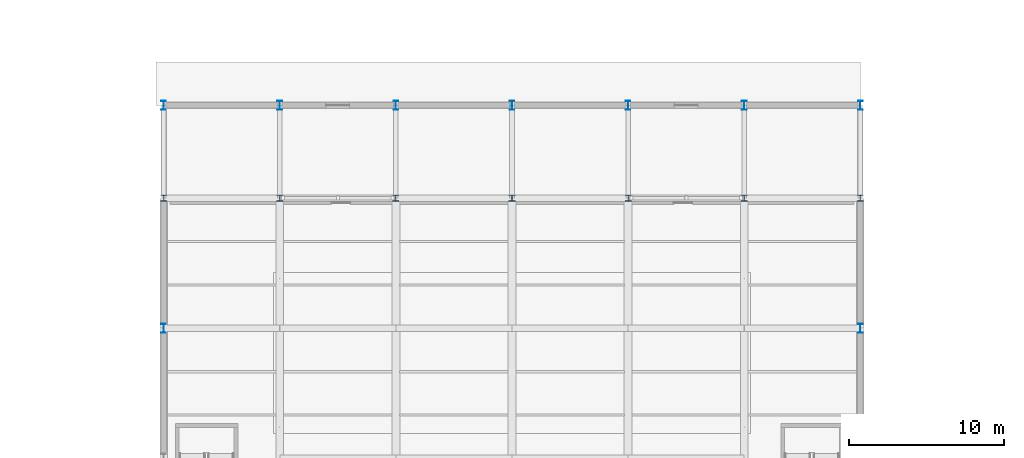
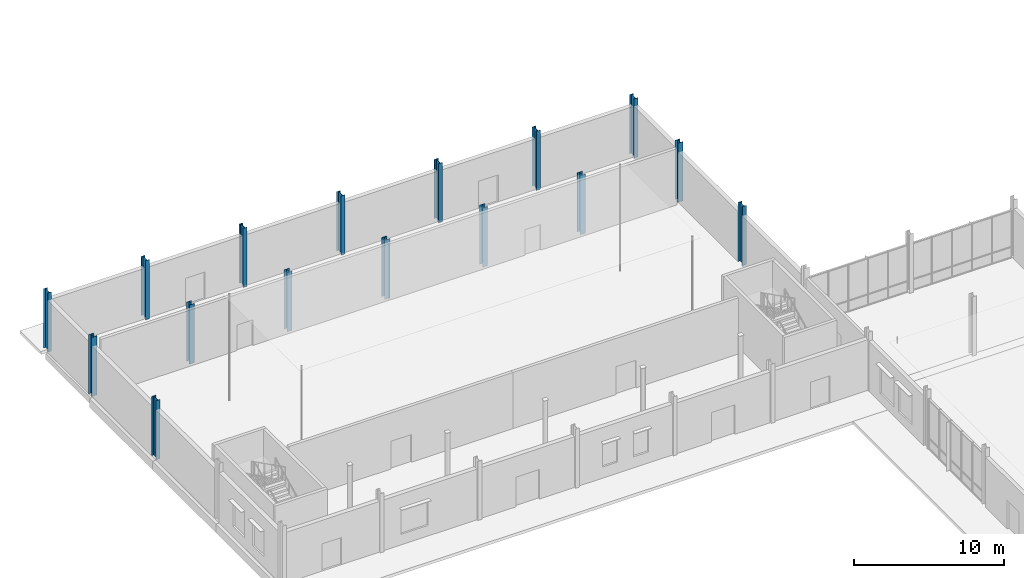
# One storey, part 10 of 82: 16 columns.
"""IFC4 building model written with IfcOpenShell, lengths in metres."""

from ifc_helpers import new_model, si_unit, direction, frame, origin, origin_2d, place, context, subcontext, project, spatial, i_section, extrude, material, material_profile, profile_set, type_object, element, save


model = new_model("IFC4")

# Units and contexts
model_context = context("Model", 3, precision=1e-05, world=origin(), true_north=direction((0.0, 1.0)))
body_context = subcontext(model_context, "Body", "Model", "MODEL_VIEW")
ifc_project = project(units=[si_unit("LENGTHUNIT", "METRE"), si_unit("AREAUNIT", "SQUARE_METRE"), si_unit("VOLUMEUNIT", "CUBIC_METRE"), si_unit("PLANEANGLEUNIT", "RADIAN"), si_unit("MASSUNIT", "GRAM", prefix="KILO")], contexts=[model_context])

# Site, building, storey
site_placement = place(None, origin())
site = spatial("IfcSite", under=ifc_project, at=site_placement, CompositionType="ELEMENT")
building_placement = place(site_placement, origin())
building = spatial("IfcBuilding", under=site, at=building_placement, Name="Yukiwa Park Conservatory and Herbarium", CompositionType="ELEMENT")
storey_placement = place(building_placement, origin())
storey = spatial("IfcBuildingStorey", under=building, at=storey_placement, Name="L00", CompositionType="ELEMENT", Elevation=0.0)

# Columns
ifc_material_1 = material(Name="Steel Q355D", Category="steel")
ifc_material_profile_1 = material_profile(ifc_material_1, i_section(OverallWidth=0.300048828125, OverallDepth=0.587890625, WebThickness=0.011962890625, FlangeThickness=0.02001953125, FilletRadius=0.02392578125, at=origin_2d()), Name="HM 588x300x12x20")
ifc_profile_set_1 = profile_set([ifc_material_profile_1], Name="Steel Q355D")
column_type_1 = type_object("IfcColumnType", Name="COL-AU-HM588-EXT", PredefinedType="COLUMN", material=ifc_profile_set_1)
for number, where, z_axis, x_axis, name in (
    (1, (15.0, 94.800048828125, 0.0), (0.0, 0.0, 1.0), (1.0, 0.0, 0.0), "L00 column V4-X150-Y948"),
    (2, (15.0, 109.199951171875, 0.0), (0.0, 0.0, 1.0), (1.0, 0.0, 0.0), "L00 column V4-X150-Y1092"),
    (3, (22.5, 109.199951171875, 0.0), (0.0, 0.0, 1.0), (1.0, 0.0, 0.0), "L00 column V4-X225-Y1092"),
    (4, (30.0, 109.199951171875, 0.0), (0.0, 0.0, 1.0), (1.0, 0.0, 0.0), "L00 column V4-X300-Y1092"),
    (5, (37.5, 109.199951171875, 0.0), (0.0, 0.0, 1.0), (1.0, 0.0, 0.0), "L00 column V4-X375-Y1092"),
    (6, (45.0, 109.199951171875, 0.0), (0.0, 0.0, 1.0), (1.0, 0.0, 0.0), "L00 column V4-X450-Y1092"),
    (7, (52.5, 109.199951171875, 0.0), (0.0, 0.0, 1.0), (1.0, 0.0, 0.0), "L00 column V4-X525-Y1092"),
    (8, (60.0, 94.800048828125, 0.0), (0.0, 0.0, 1.0), (1.0, 0.0, 0.0), "L00 column V4-X600-Y948"),
    (9, (60.0, 109.199951171875, 0.0), (0.0, 0.0, 1.0), (1.0, 0.0, 0.0), "L00 column V4-X600-Y1092"),
):
    element("IfcColumn", number, at=place(storey_placement, frame(where, z_axis=z_axis, x_axis=x_axis)), inside=storey, type_object=column_type_1, Name=name, PredefinedType="COLUMN", context=body_context, shape_type="SweptSolid", body=[
        extrude(i_section(OverallWidth=0.300048828125, OverallDepth=0.587890625, WebThickness=0.011962890625, FlangeThickness=0.02001953125, FilletRadius=0.02392578125, at=origin_2d()), origin(), (0.0, 0.0, 1.0), 4.800048828125),
    ])
ifc_material_2 = material(Name="Steel Q355D", Category="steel")
ifc_material_profile_2 = material_profile(ifc_material_2, i_section(OverallWidth=0.39990234375, OverallDepth=0.39990234375, WebThickness=0.012939453125, FlangeThickness=0.02099609375, FilletRadius=0.02197265625, at=origin_2d()), Name="HW 400x400x13x21")
ifc_profile_set_2 = profile_set([ifc_material_profile_2], Name="Steel Q355D")
column_type_2 = type_object("IfcColumnType", Name="COL-TW-HW400", PredefinedType="COLUMN", material=ifc_profile_set_2)
for number, where, z_axis, x_axis, name in (
    (10, (15.0, 103.199951171875, 0.0), (0.0, 0.0, 1.0), (1.0, 0.0, 0.0), "L00 column V4-X150-Y1032"),
    (11, (22.5, 103.199951171875, 0.0), (0.0, 0.0, 1.0), (1.0, 0.0, 0.0), "L00 column V4-X225-Y1032"),
    (12, (30.0, 103.199951171875, 0.0), (0.0, 0.0, 1.0), (1.0, 0.0, 0.0), "L00 column V4-X300-Y1032"),
    (13, (37.5, 103.199951171875, 0.0), (0.0, 0.0, 1.0), (1.0, 0.0, 0.0), "L00 column V4-X375-Y1032"),
    (14, (45.0, 103.199951171875, 0.0), (0.0, 0.0, 1.0), (1.0, 0.0, 0.0), "L00 column V4-X450-Y1032"),
    (15, (52.5, 103.199951171875, 0.0), (0.0, 0.0, 1.0), (1.0, 0.0, 0.0), "L00 column V4-X525-Y1032"),
    (16, (60.0, 103.199951171875, 0.0), (0.0, 0.0, 1.0), (1.0, 0.0, 0.0), "L00 column V4-X600-Y1032"),
):
    element("IfcColumn", number, at=place(storey_placement, frame(where, z_axis=z_axis, x_axis=x_axis)), inside=storey, type_object=column_type_2, Name=name, PredefinedType="COLUMN", context=body_context, shape_type="SweptSolid", body=[
        extrude(i_section(OverallWidth=0.39990234375, OverallDepth=0.39990234375, WebThickness=0.012939453125, FlangeThickness=0.02099609375, FilletRadius=0.02197265625, at=origin_2d()), origin(), (0.0, 0.0, 1.0), 4.800048828125),
    ])

save(model, "model.ifc")
